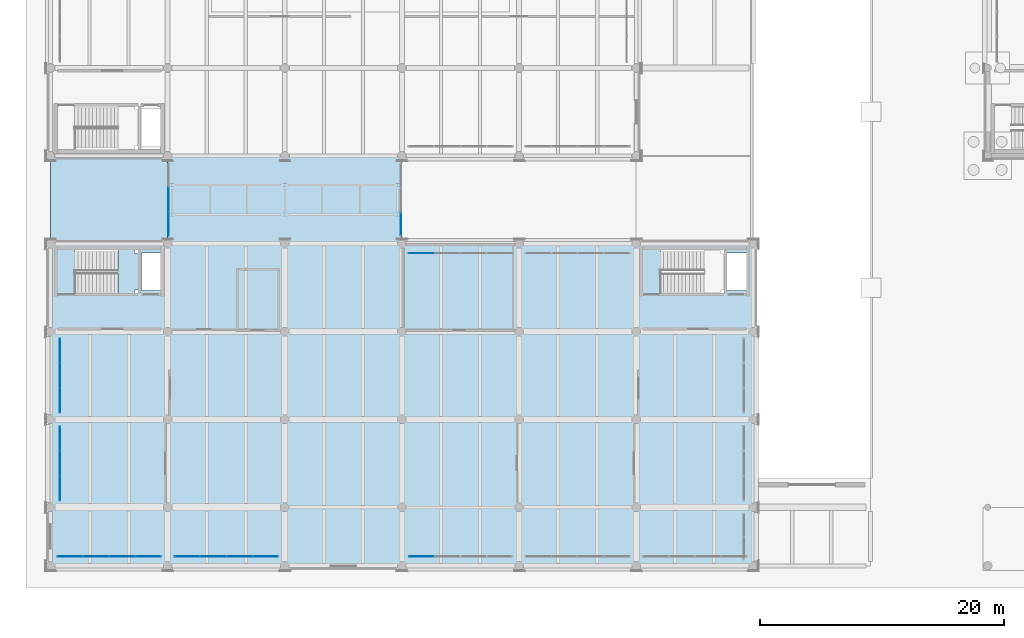
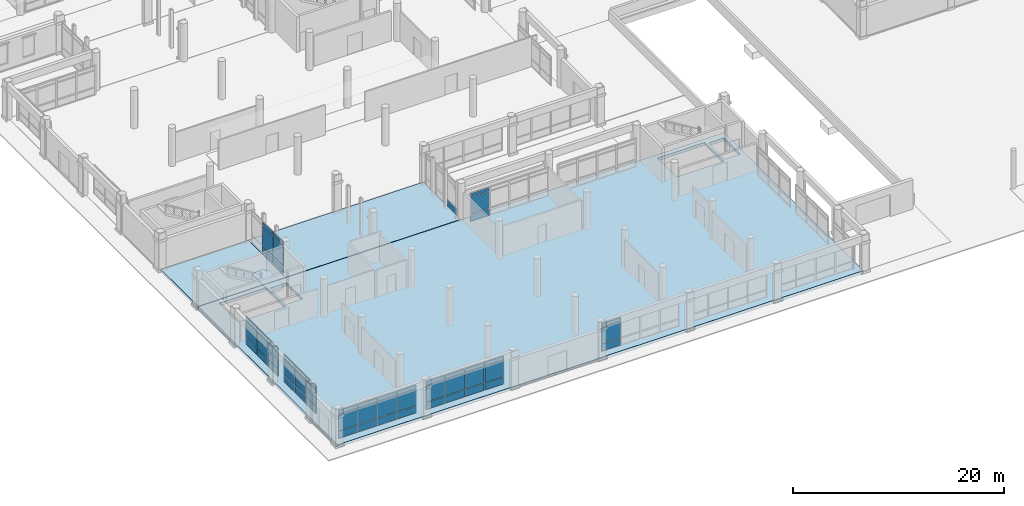
# One storey, part 141 of 196: 55 plates, 4 slabs, 9 elements without a shape of their own.
"""IFC4 building model written with IfcOpenShell, lengths in metres."""

from ifc_helpers import new_model, si_unit, direction, frame, origin, origin_2d, place, context, subcontext, project, spatial, polyline, rectangle, outline, extrude, material, layer, layer_set, type_object, element, aggregate, save


model = new_model("IFC4")

# Units and contexts
model_context = context("Model", 3, precision=1e-05, world=origin(), true_north=direction((0.0, 1.0)))
body_context = subcontext(model_context, "Body", "Model", "MODEL_VIEW")
ifc_project = project(units=[si_unit("LENGTHUNIT", "METRE"), si_unit("AREAUNIT", "SQUARE_METRE"), si_unit("VOLUMEUNIT", "CUBIC_METRE"), si_unit("PLANEANGLEUNIT", "RADIAN"), si_unit("MASSUNIT", "GRAM", prefix="KILO")], contexts=[model_context])

# Site, building, storey
site_placement = place(None, origin())
site = spatial("IfcSite", under=ifc_project, at=site_placement, CompositionType="ELEMENT")
building_placement = place(site_placement, origin())
building = spatial("IfcBuilding", under=site, at=building_placement, Name="Asteropetra Specialist Clinic", CompositionType="ELEMENT")
storey_placement = place(building_placement, origin())
storey = spatial("IfcBuildingStorey", under=building, at=storey_placement, Name="L00", CompositionType="ELEMENT", Elevation=0.0)

# Curtain wall, plate
ifc_material_1 = material(Name="Aluminium and low-E glass", Category="aluminium")
ifc_layer_1 = layer(ifc_material_1, 0.14990234375)
ifc_layer_set_1 = layer_set([ifc_layer_1], Name="Aluminium and low-E glass")
curtain_wall_type_1 = type_object("IfcCurtainWallType", Name="CW-SYS-08", PredefinedType="USERDEFINED", material=ifc_layer_set_1)
curtain_wall_1_placement = place(storey_placement, origin())
curtain_wall_1 = element("IfcCurtainWall", 1, at=curtain_wall_1_placement, inside=storey, type_object=curtain_wall_type_1, Name="Curtain Wall CW-096", ObjectType="STICK GLAZED COLONNADE", PredefinedType="USERDEFINED")
ifc_material_2 = material(Name="Low-E double glazing", Category="glass")
ifc_layer_2 = layer(ifc_material_2, 0.028076171875)
ifc_layer_set_2 = layer_set([ifc_layer_2], Name="Low-E double glazing")
plate_type_1 = type_object("IfcPlateType", Name="CWP-GLZ-28", PredefinedType="CURTAIN_PANEL", material=ifc_layer_set_2)
plate_1_placement = place(storey_placement, frame((28.719970703125, 28.025390625, 0.074951171875), z_axis=(0.0, 0.0, 1.0), x_axis=(0.0, -1.0, 0.0)))
plate_1 = element("IfcPlate", 2, at=plate_1_placement, type_object=plate_type_1, Name="CW-096 panel 3.1", PredefinedType="CURTAIN_PANEL", context=body_context, shape_type="SweptSolid", body=[
    extrude(rectangle(XDim=1.880859375, YDim=0.028076171875, at=origin_2d()), origin(), (0.0, 0.0, 1.0), 0.78759765625),
])
aggregate(curtain_wall_1, [plate_1])

# Curtain wall, plates
ifc_material_3 = material(Name="Aluminium and low-E glass", Category="aluminium")
ifc_layer_3 = layer(ifc_material_3, 0.135009765625)
ifc_layer_set_3 = layer_set([ifc_layer_3], Name="Aluminium and low-E glass")
curtain_wall_type_2 = type_object("IfcCurtainWallType", Name="CW-SYS-09", PredefinedType="USERDEFINED", material=ifc_layer_set_3)
curtain_wall_2_placement = place(storey_placement, origin())
curtain_wall_2 = element("IfcCurtainWall", 3, at=curtain_wall_2_placement, inside=storey, type_object=curtain_wall_type_2, Name="Curtain Wall CW-124", ObjectType="STICK GLAZED COLONNADE", PredefinedType="USERDEFINED")
plate_2_placement = place(storey_placement, frame((30.398681640625, 25.6201171875, 0.06494140625), z_axis=(0.0, 0.0, 1.0), x_axis=(-1.0, 0.0, 0.0)))
plate_2 = element("IfcPlate", 4, at=plate_2_placement, type_object=plate_type_1, Name="CW-124 panel 4.1", PredefinedType="CURTAIN_PANEL", context=body_context, shape_type="SweptSolid", body=[
    extrude(rectangle(XDim=2.047607421875, YDim=0.028076171875, at=origin_2d()), origin(), (0.0, 0.0, 1.0), 0.802490234375),
])
plate_3_placement = place(storey_placement, frame((30.398681640625, 25.6201171875, 0.9326171875), z_axis=(0.0, 0.0, 1.0), x_axis=(-1.0, 0.0, 0.0)))
plate_3 = element("IfcPlate", 5, at=plate_3_placement, type_object=plate_type_1, Name="CW-124 panel 4.2", PredefinedType="CURTAIN_PANEL", context=body_context, shape_type="SweptSolid", body=[
    extrude(rectangle(XDim=2.047607421875, YDim=0.028076171875, at=origin_2d()), origin(), (0.0, 0.0, 1.0), 1.885009765625),
])
plate_4_placement = place(storey_placement, frame((30.398681640625, 25.6201171875, 2.88232421875), z_axis=(0.0, 0.0, 1.0), x_axis=(-1.0, 0.0, 0.0)))
plate_4 = element("IfcPlate", 6, at=plate_4_placement, type_object=plate_type_1, Name="CW-124 panel 4.3", PredefinedType="CURTAIN_PANEL", context=body_context, shape_type="SweptSolid", body=[
    extrude(rectangle(XDim=2.047607421875, YDim=0.028076171875, at=origin_2d()), origin(), (0.0, 0.0, 1.0), 0.402587890625),
])
aggregate(curtain_wall_2, [plate_2, plate_3, plate_4])

curtain_wall_3_placement = place(storey_placement, origin())
curtain_wall_3 = element("IfcCurtainWall", 7, at=curtain_wall_3_placement, inside=storey, type_object=curtain_wall_type_2, Name="Curtain Wall CW-121", ObjectType="STICK GLAZED COLONNADE", PredefinedType="USERDEFINED")
ifc_material_4 = material(Name="Low-E acoustic double glazing", Category="glass")
ifc_layer_4 = layer(ifc_material_4, 0.031982421875)
ifc_layer_set_4 = layer_set([ifc_layer_4], Name="Low-E acoustic double glazing")
plate_type_2 = type_object("IfcPlateType", Name="CWP-GLZ-32", PredefinedType="CURTAIN_PANEL", material=ifc_layer_set_4)
plate_5_placement = place(storey_placement, frame((1.5986328125, 0.780029296875, 0.06494140625), z_axis=(0.0, 0.0, 1.0), x_axis=(1.0, 0.0, 0.0)))
plate_5 = element("IfcPlate", 8, at=plate_5_placement, type_object=plate_type_2, Name="CW-121 panel 1.1", PredefinedType="CURTAIN_PANEL", context=body_context, shape_type="SweptSolid", body=[
    extrude(rectangle(XDim=2.047607421875, YDim=0.031982421875, at=origin_2d()), origin(), (0.0, 0.0, 1.0), 0.802490234375),
])
plate_6_placement = place(storey_placement, frame((1.5986328125, 0.780029296875, 0.9326171875), z_axis=(0.0, 0.0, 1.0), x_axis=(1.0, 0.0, 0.0)))
plate_6 = element("IfcPlate", 9, at=plate_6_placement, type_object=plate_type_2, Name="CW-121 panel 1.2", PredefinedType="CURTAIN_PANEL", context=body_context, shape_type="SweptSolid", body=[
    extrude(rectangle(XDim=2.047607421875, YDim=0.031982421875, at=origin_2d()), origin(), (0.0, 0.0, 1.0), 1.885009765625),
])
plate_7_placement = place(storey_placement, frame((1.5986328125, 0.780029296875, 2.88232421875), z_axis=(0.0, 0.0, 1.0), x_axis=(1.0, 0.0, 0.0)))
plate_7 = element("IfcPlate", 10, at=plate_7_placement, type_object=plate_type_2, Name="CW-121 panel 1.3", PredefinedType="CURTAIN_PANEL", context=body_context, shape_type="SweptSolid", body=[
    extrude(rectangle(XDim=2.047607421875, YDim=0.031982421875, at=origin_2d()), origin(), (0.0, 0.0, 1.0), 0.402587890625),
])
plate_8_placement = place(storey_placement, frame((3.7275390625, 0.780029296875, 0.06494140625), z_axis=(0.0, 0.0, 1.0), x_axis=(1.0, 0.0, 0.0)))
plate_8 = element("IfcPlate", 11, at=plate_8_placement, type_object=plate_type_2, Name="CW-121 panel 2.1", PredefinedType="CURTAIN_PANEL", context=body_context, shape_type="SweptSolid", body=[
    extrude(rectangle(XDim=2.080078125, YDim=0.031982421875, at=origin_2d()), origin(), (0.0, 0.0, 1.0), 0.802490234375),
])
plate_9_placement = place(storey_placement, frame((3.7275390625, 0.780029296875, 0.9326171875), z_axis=(0.0, 0.0, 1.0), x_axis=(1.0, 0.0, 0.0)))
plate_9 = element("IfcPlate", 12, at=plate_9_placement, type_object=plate_type_2, Name="CW-121 panel 2.2", PredefinedType="CURTAIN_PANEL", context=body_context, shape_type="SweptSolid", body=[
    extrude(rectangle(XDim=2.080078125, YDim=0.031982421875, at=origin_2d()), origin(), (0.0, 0.0, 1.0), 1.885009765625),
])
plate_10_placement = place(storey_placement, frame((3.7275390625, 0.780029296875, 2.88232421875), z_axis=(0.0, 0.0, 1.0), x_axis=(1.0, 0.0, 0.0)))
plate_10 = element("IfcPlate", 13, at=plate_10_placement, type_object=plate_type_2, Name="CW-121 panel 2.3", PredefinedType="CURTAIN_PANEL", context=body_context, shape_type="SweptSolid", body=[
    extrude(rectangle(XDim=2.080078125, YDim=0.031982421875, at=origin_2d()), origin(), (0.0, 0.0, 1.0), 0.402587890625),
])
plate_11_placement = place(storey_placement, frame((5.87255859375, 0.780029296875, 0.06494140625), z_axis=(0.0, 0.0, 1.0), x_axis=(1.0, 0.0, 0.0)))
plate_11 = element("IfcPlate", 14, at=plate_11_placement, type_object=plate_type_2, Name="CW-121 panel 3.1", PredefinedType="CURTAIN_PANEL", context=body_context, shape_type="SweptSolid", body=[
    extrude(rectangle(XDim=2.080078125, YDim=0.031982421875, at=origin_2d()), origin(), (0.0, 0.0, 1.0), 0.802490234375),
])
plate_12_placement = place(storey_placement, frame((5.87255859375, 0.780029296875, 0.9326171875), z_axis=(0.0, 0.0, 1.0), x_axis=(1.0, 0.0, 0.0)))
plate_12 = element("IfcPlate", 15, at=plate_12_placement, type_object=plate_type_2, Name="CW-121 panel 3.2", PredefinedType="CURTAIN_PANEL", context=body_context, shape_type="SweptSolid", body=[
    extrude(rectangle(XDim=2.080078125, YDim=0.031982421875, at=origin_2d()), origin(), (0.0, 0.0, 1.0), 1.885009765625),
])
plate_13_placement = place(storey_placement, frame((5.87255859375, 0.780029296875, 2.88232421875), z_axis=(0.0, 0.0, 1.0), x_axis=(1.0, 0.0, 0.0)))
plate_13 = element("IfcPlate", 16, at=plate_13_placement, type_object=plate_type_2, Name="CW-121 panel 3.3", PredefinedType="CURTAIN_PANEL", context=body_context, shape_type="SweptSolid", body=[
    extrude(rectangle(XDim=2.080078125, YDim=0.031982421875, at=origin_2d()), origin(), (0.0, 0.0, 1.0), 0.402587890625),
])
plate_14_placement = place(storey_placement, frame((8.001220703125, 0.780029296875, 0.06494140625), z_axis=(0.0, 0.0, 1.0), x_axis=(1.0, 0.0, 0.0)))
plate_14 = element("IfcPlate", 17, at=plate_14_placement, type_object=plate_type_2, Name="CW-121 panel 4.1", PredefinedType="CURTAIN_PANEL", context=body_context, shape_type="SweptSolid", body=[
    extrude(rectangle(XDim=2.047607421875, YDim=0.031982421875, at=origin_2d()), origin(), (0.0, 0.0, 1.0), 0.802490234375),
])
plate_15_placement = place(storey_placement, frame((8.001220703125, 0.780029296875, 0.9326171875), z_axis=(0.0, 0.0, 1.0), x_axis=(1.0, 0.0, 0.0)))
plate_15 = element("IfcPlate", 18, at=plate_15_placement, type_object=plate_type_2, Name="CW-121 panel 4.2", PredefinedType="CURTAIN_PANEL", context=body_context, shape_type="SweptSolid", body=[
    extrude(rectangle(XDim=2.047607421875, YDim=0.031982421875, at=origin_2d()), origin(), (0.0, 0.0, 1.0), 1.885009765625),
])
plate_16_placement = place(storey_placement, frame((8.001220703125, 0.780029296875, 2.88232421875), z_axis=(0.0, 0.0, 1.0), x_axis=(1.0, 0.0, 0.0)))
plate_16 = element("IfcPlate", 19, at=plate_16_placement, type_object=plate_type_2, Name="CW-121 panel 4.3", PredefinedType="CURTAIN_PANEL", context=body_context, shape_type="SweptSolid", body=[
    extrude(rectangle(XDim=2.047607421875, YDim=0.031982421875, at=origin_2d()), origin(), (0.0, 0.0, 1.0), 0.402587890625),
])
aggregate(curtain_wall_3, [plate_5, plate_6, plate_7, plate_8, plate_9, plate_10, plate_11, plate_12, plate_13, plate_14, plate_15, plate_16])

ifc_material_5 = material(Name="Aluminium and low-E glass", Category="aluminium")
ifc_layer_5 = layer(ifc_material_5, 0.179931640625)
ifc_layer_set_5 = layer_set([ifc_layer_5], Name="Aluminium and low-E glass")
curtain_wall_type_3 = type_object("IfcCurtainWallType", Name="CW-SYS-10", PredefinedType="USERDEFINED", material=ifc_layer_set_5)
curtain_wall_4_placement = place(storey_placement, origin())
curtain_wall_4 = element("IfcCurtainWall", 20, at=curtain_wall_4_placement, inside=storey, type_object=curtain_wall_type_3, Name="Curtain Wall CW-129", ObjectType="STICK GLAZED COLONNADE", PredefinedType="USERDEFINED")
plate_17_placement = place(storey_placement, frame((0.780029296875, 10.441162109375, 0.074951171875), z_axis=(0.0, 0.0, 1.0), x_axis=(0.0, -1.0, 0.0)))
plate_17 = element("IfcPlate", 21, at=plate_17_placement, type_object=plate_type_2, Name="CW-129 panel 1.1", PredefinedType="CURTAIN_PANEL", context=body_context, shape_type="SweptSolid", body=[
    extrude(rectangle(XDim=1.947509765625, YDim=0.031982421875, at=origin_2d()), origin(), (0.0, 0.0, 1.0), 0.78759765625),
])
plate_18_placement = place(storey_placement, frame((0.780029296875, 10.441162109375, 0.9375), z_axis=(0.0, 0.0, 1.0), x_axis=(0.0, -1.0, 0.0)))
plate_18 = element("IfcPlate", 22, at=plate_18_placement, type_object=plate_type_2, Name="CW-129 panel 1.2", PredefinedType="CURTAIN_PANEL", context=body_context, shape_type="SweptSolid", body=[
    extrude(rectangle(XDim=1.947509765625, YDim=0.031982421875, at=origin_2d()), origin(), (0.0, 0.0, 1.0), 1.875),
])
plate_19_placement = place(storey_placement, frame((0.780029296875, 10.441162109375, 2.8876953125), z_axis=(0.0, 0.0, 1.0), x_axis=(0.0, -1.0, 0.0)))
plate_19 = element("IfcPlate", 23, at=plate_19_placement, type_object=plate_type_2, Name="CW-129 panel 1.3", PredefinedType="CURTAIN_PANEL", context=body_context, shape_type="SweptSolid", body=[
    extrude(rectangle(XDim=1.947509765625, YDim=0.031982421875, at=origin_2d()), origin(), (0.0, 0.0, 1.0), 0.387451171875),
])
plate_20_placement = place(storey_placement, frame((0.780029296875, 8.39990234375, 0.074951171875), z_axis=(0.0, 0.0, 1.0), x_axis=(0.0, -1.0, 0.0)))
plate_20 = element("IfcPlate", 24, at=plate_20_placement, type_object=plate_type_2, Name="CW-129 panel 2.1", PredefinedType="CURTAIN_PANEL", context=body_context, shape_type="SweptSolid", body=[
    extrude(rectangle(XDim=1.985107421875, YDim=0.031982421875, at=origin_2d()), origin(), (0.0, 0.0, 1.0), 0.78759765625),
])
plate_21_placement = place(storey_placement, frame((0.780029296875, 8.39990234375, 0.9375), z_axis=(0.0, 0.0, 1.0), x_axis=(0.0, -1.0, 0.0)))
plate_21 = element("IfcPlate", 25, at=plate_21_placement, type_object=plate_type_2, Name="CW-129 panel 2.2", PredefinedType="CURTAIN_PANEL", context=body_context, shape_type="SweptSolid", body=[
    extrude(rectangle(XDim=1.985107421875, YDim=0.031982421875, at=origin_2d()), origin(), (0.0, 0.0, 1.0), 1.875),
])
plate_22_placement = place(storey_placement, frame((0.780029296875, 8.39990234375, 2.8876953125), z_axis=(0.0, 0.0, 1.0), x_axis=(0.0, -1.0, 0.0)))
plate_22 = element("IfcPlate", 26, at=plate_22_placement, type_object=plate_type_2, Name="CW-129 panel 2.3", PredefinedType="CURTAIN_PANEL", context=body_context, shape_type="SweptSolid", body=[
    extrude(rectangle(XDim=1.985107421875, YDim=0.031982421875, at=origin_2d()), origin(), (0.0, 0.0, 1.0), 0.387451171875),
])
plate_23_placement = place(storey_placement, frame((0.780029296875, 6.358642578125, 0.074951171875), z_axis=(0.0, 0.0, 1.0), x_axis=(0.0, -1.0, 0.0)))
plate_23 = element("IfcPlate", 27, at=plate_23_placement, type_object=plate_type_2, Name="CW-129 panel 3.1", PredefinedType="CURTAIN_PANEL", context=body_context, shape_type="SweptSolid", body=[
    extrude(rectangle(XDim=1.947509765625, YDim=0.031982421875, at=origin_2d()), origin(), (0.0, 0.0, 1.0), 0.78759765625),
])
plate_24_placement = place(storey_placement, frame((0.780029296875, 6.358642578125, 0.9375), z_axis=(0.0, 0.0, 1.0), x_axis=(0.0, -1.0, 0.0)))
plate_24 = element("IfcPlate", 28, at=plate_24_placement, type_object=plate_type_2, Name="CW-129 panel 3.2", PredefinedType="CURTAIN_PANEL", context=body_context, shape_type="SweptSolid", body=[
    extrude(rectangle(XDim=1.947509765625, YDim=0.031982421875, at=origin_2d()), origin(), (0.0, 0.0, 1.0), 1.875),
])
plate_25_placement = place(storey_placement, frame((0.780029296875, 6.358642578125, 2.8876953125), z_axis=(0.0, 0.0, 1.0), x_axis=(0.0, -1.0, 0.0)))
plate_25 = element("IfcPlate", 29, at=plate_25_placement, type_object=plate_type_2, Name="CW-129 panel 3.3", PredefinedType="CURTAIN_PANEL", context=body_context, shape_type="SweptSolid", body=[
    extrude(rectangle(XDim=1.947509765625, YDim=0.031982421875, at=origin_2d()), origin(), (0.0, 0.0, 1.0), 0.387451171875),
])
aggregate(curtain_wall_4, [plate_17, plate_18, plate_19, plate_20, plate_21, plate_22, plate_23, plate_24, plate_25])

curtain_wall_5_placement = place(storey_placement, origin())
curtain_wall_5 = element("IfcCurtainWall", 30, at=curtain_wall_5_placement, inside=storey, type_object=curtain_wall_type_3, Name="Curtain Wall CW-122", ObjectType="STICK GLAZED COLONNADE", PredefinedType="USERDEFINED")
ifc_material_6 = material(Name="Solar-control triple glazing", Category="glass")
ifc_layer_6 = layer(ifc_material_6, 0.035888671875)
ifc_layer_set_6 = layer_set([ifc_layer_6], Name="Solar-control triple glazing")
plate_type_3 = type_object("IfcPlateType", Name="CWP-GLZ-36", PredefinedType="CURTAIN_PANEL", material=ifc_layer_set_6)
plate_26_placement = place(storey_placement, frame((11.197509765625, 0.780029296875, 0.06005859375), z_axis=(0.0, 0.0, 1.0), x_axis=(1.0, 0.0, 0.0)))
plate_26 = element("IfcPlate", 31, at=plate_26_placement, type_object=plate_type_3, Name="CW-122 panel 1.1", PredefinedType="CURTAIN_PANEL", context=body_context, shape_type="SweptSolid", body=[
    extrude(rectangle(XDim=2.054931640625, YDim=0.035888671875, at=origin_2d()), origin(), (0.0, 0.0, 1.0), 0.81005859375),
])
plate_27_placement = place(storey_placement, frame((11.197509765625, 0.780029296875, 0.93017578125), z_axis=(0.0, 0.0, 1.0), x_axis=(1.0, 0.0, 0.0)))
plate_27 = element("IfcPlate", 32, at=plate_27_placement, type_object=plate_type_3, Name="CW-122 panel 1.2", PredefinedType="CURTAIN_PANEL", context=body_context, shape_type="SweptSolid", body=[
    extrude(rectangle(XDim=2.054931640625, YDim=0.035888671875, at=origin_2d()), origin(), (0.0, 0.0, 1.0), 1.889892578125),
])
plate_28_placement = place(storey_placement, frame((11.197509765625, 0.780029296875, 2.8798828125), z_axis=(0.0, 0.0, 1.0), x_axis=(1.0, 0.0, 0.0)))
plate_28 = element("IfcPlate", 33, at=plate_28_placement, type_object=plate_type_3, Name="CW-122 panel 1.3", PredefinedType="CURTAIN_PANEL", context=body_context, shape_type="SweptSolid", body=[
    extrude(rectangle(XDim=2.054931640625, YDim=0.035888671875, at=origin_2d()), origin(), (0.0, 0.0, 1.0), 0.409912109375),
])
plate_29_placement = place(storey_placement, frame((13.327392578125, 0.780029296875, 0.06005859375), z_axis=(0.0, 0.0, 1.0), x_axis=(1.0, 0.0, 0.0)))
plate_29 = element("IfcPlate", 34, at=plate_29_placement, type_object=plate_type_3, Name="CW-122 panel 2.1", PredefinedType="CURTAIN_PANEL", context=body_context, shape_type="SweptSolid", body=[
    extrude(rectangle(XDim=2.0849609375, YDim=0.035888671875, at=origin_2d()), origin(), (0.0, 0.0, 1.0), 0.81005859375),
])
plate_30_placement = place(storey_placement, frame((13.327392578125, 0.780029296875, 0.93017578125), z_axis=(0.0, 0.0, 1.0), x_axis=(1.0, 0.0, 0.0)))
plate_30 = element("IfcPlate", 35, at=plate_30_placement, type_object=plate_type_3, Name="CW-122 panel 2.2", PredefinedType="CURTAIN_PANEL", context=body_context, shape_type="SweptSolid", body=[
    extrude(rectangle(XDim=2.0849609375, YDim=0.035888671875, at=origin_2d()), origin(), (0.0, 0.0, 1.0), 1.889892578125),
])
plate_31_placement = place(storey_placement, frame((13.327392578125, 0.780029296875, 2.8798828125), z_axis=(0.0, 0.0, 1.0), x_axis=(1.0, 0.0, 0.0)))
plate_31 = element("IfcPlate", 36, at=plate_31_placement, type_object=plate_type_3, Name="CW-122 panel 2.3", PredefinedType="CURTAIN_PANEL", context=body_context, shape_type="SweptSolid", body=[
    extrude(rectangle(XDim=2.0849609375, YDim=0.035888671875, at=origin_2d()), origin(), (0.0, 0.0, 1.0), 0.409912109375),
])
plate_32_placement = place(storey_placement, frame((15.472412109375, 0.780029296875, 0.06005859375), z_axis=(0.0, 0.0, 1.0), x_axis=(1.0, 0.0, 0.0)))
plate_32 = element("IfcPlate", 37, at=plate_32_placement, type_object=plate_type_3, Name="CW-122 panel 3.1", PredefinedType="CURTAIN_PANEL", context=body_context, shape_type="SweptSolid", body=[
    extrude(rectangle(XDim=2.0849609375, YDim=0.035888671875, at=origin_2d()), origin(), (0.0, 0.0, 1.0), 0.81005859375),
])
plate_33_placement = place(storey_placement, frame((15.472412109375, 0.780029296875, 0.93017578125), z_axis=(0.0, 0.0, 1.0), x_axis=(1.0, 0.0, 0.0)))
plate_33 = element("IfcPlate", 38, at=plate_33_placement, type_object=plate_type_3, Name="CW-122 panel 3.2", PredefinedType="CURTAIN_PANEL", context=body_context, shape_type="SweptSolid", body=[
    extrude(rectangle(XDim=2.0849609375, YDim=0.035888671875, at=origin_2d()), origin(), (0.0, 0.0, 1.0), 1.889892578125),
])
plate_34_placement = place(storey_placement, frame((15.472412109375, 0.780029296875, 2.8798828125), z_axis=(0.0, 0.0, 1.0), x_axis=(1.0, 0.0, 0.0)))
plate_34 = element("IfcPlate", 39, at=plate_34_placement, type_object=plate_type_3, Name="CW-122 panel 3.3", PredefinedType="CURTAIN_PANEL", context=body_context, shape_type="SweptSolid", body=[
    extrude(rectangle(XDim=2.0849609375, YDim=0.035888671875, at=origin_2d()), origin(), (0.0, 0.0, 1.0), 0.409912109375),
])
plate_35_placement = place(storey_placement, frame((17.6025390625, 0.780029296875, 0.06005859375), z_axis=(0.0, 0.0, 1.0), x_axis=(1.0, 0.0, 0.0)))
plate_35 = element("IfcPlate", 40, at=plate_35_placement, type_object=plate_type_3, Name="CW-122 panel 4.1", PredefinedType="CURTAIN_PANEL", context=body_context, shape_type="SweptSolid", body=[
    extrude(rectangle(XDim=2.054931640625, YDim=0.035888671875, at=origin_2d()), origin(), (0.0, 0.0, 1.0), 0.81005859375),
])
plate_36_placement = place(storey_placement, frame((17.6025390625, 0.780029296875, 0.93017578125), z_axis=(0.0, 0.0, 1.0), x_axis=(1.0, 0.0, 0.0)))
plate_36 = element("IfcPlate", 41, at=plate_36_placement, type_object=plate_type_3, Name="CW-122 panel 4.2", PredefinedType="CURTAIN_PANEL", context=body_context, shape_type="SweptSolid", body=[
    extrude(rectangle(XDim=2.054931640625, YDim=0.035888671875, at=origin_2d()), origin(), (0.0, 0.0, 1.0), 1.889892578125),
])
plate_37_placement = place(storey_placement, frame((17.6025390625, 0.780029296875, 2.8798828125), z_axis=(0.0, 0.0, 1.0), x_axis=(1.0, 0.0, 0.0)))
plate_37 = element("IfcPlate", 42, at=plate_37_placement, type_object=plate_type_3, Name="CW-122 panel 4.3", PredefinedType="CURTAIN_PANEL", context=body_context, shape_type="SweptSolid", body=[
    extrude(rectangle(XDim=2.054931640625, YDim=0.035888671875, at=origin_2d()), origin(), (0.0, 0.0, 1.0), 0.409912109375),
])
aggregate(curtain_wall_5, [plate_26, plate_27, plate_28, plate_29, plate_30, plate_31, plate_32, plate_33, plate_34, plate_35, plate_36, plate_37])

ifc_material_7 = material(Name="Aluminium and low-E glass", Category="aluminium")
ifc_layer_7 = layer(ifc_material_7, 0.179931640625)
ifc_layer_set_7 = layer_set([ifc_layer_7], Name="Aluminium and low-E glass")
curtain_wall_type_4 = type_object("IfcCurtainWallType", Name="CW-SYS-07", PredefinedType="USERDEFINED", material=ifc_layer_set_7)
curtain_wall_6_placement = place(storey_placement, origin())
curtain_wall_6 = element("IfcCurtainWall", 43, at=curtain_wall_6_placement, inside=storey, type_object=curtain_wall_type_4, Name="Curtain Wall CW-095", ObjectType="STICK GLAZED COLONNADE", PredefinedType="USERDEFINED")
ifc_material_8 = material(Name="Laminated skylight glazing", Category="glass")
ifc_layer_8 = layer(ifc_material_8, 0.0400390625)
ifc_layer_set_8 = layer_set([ifc_layer_8], Name="Laminated skylight glazing")
plate_type_4 = type_object("IfcPlateType", Name="CWP-GLZ-40", PredefinedType="CURTAIN_PANEL", material=ifc_layer_set_8)
plate_38_placement = place(storey_placement, frame((9.679931640625, 28.021728515625, 0.06005859375), z_axis=(0.0, 0.0, 1.0), x_axis=(0.0, 1.0, 0.0)))
plate_38 = element("IfcPlate", 44, at=plate_38_placement, type_object=plate_type_4, Name="CW-095 panel 1.1", PredefinedType="CURTAIN_PANEL", context=body_context, shape_type="SweptSolid", body=[
    extrude(rectangle(XDim=1.9033203125, YDim=0.0400390625, at=origin_2d()), origin(), (0.0, 0.0, 1.0), 0.81005859375),
])
plate_39_placement = place(storey_placement, frame((9.679931640625, 28.021728515625, 0.929931640625), z_axis=(0.0, 0.0, 1.0), x_axis=(0.0, 1.0, 0.0)))
plate_39 = element("IfcPlate", 45, at=plate_39_placement, type_object=plate_type_4, Name="CW-095 panel 1.2", PredefinedType="CURTAIN_PANEL", context=body_context, shape_type="SweptSolid", body=[
    extrude(rectangle(XDim=1.9033203125, YDim=0.0400390625, at=origin_2d()), origin(), (0.0, 0.0, 1.0), 2.31005859375),
])
plate_40_placement = place(storey_placement, frame((9.679931640625, 28.021728515625, 3.2998046875), z_axis=(0.0, 0.0, 1.0), x_axis=(0.0, 1.0, 0.0)))
plate_40 = element("IfcPlate", 46, at=plate_40_placement, type_object=plate_type_4, Name="CW-095 panel 1.3", PredefinedType="CURTAIN_PANEL", context=body_context, shape_type="SweptSolid", body=[
    extrude(rectangle(XDim=1.9033203125, YDim=0.0400390625, at=origin_2d()), origin(), (0.0, 0.0, 1.0), 0.409912109375),
])
plate_41_placement = place(storey_placement, frame((9.679931640625, 30.0, 0.06005859375), z_axis=(0.0, 0.0, 1.0), x_axis=(0.0, 1.0, 0.0)))
plate_41 = element("IfcPlate", 47, at=plate_41_placement, type_object=plate_type_4, Name="CW-095 panel 2.1", PredefinedType="CURTAIN_PANEL", context=body_context, shape_type="SweptSolid", body=[
    extrude(rectangle(XDim=1.933349609375, YDim=0.0400390625, at=origin_2d()), origin(), (0.0, 0.0, 1.0), 0.81005859375),
])
plate_42_placement = place(storey_placement, frame((9.679931640625, 30.0, 0.929931640625), z_axis=(0.0, 0.0, 1.0), x_axis=(0.0, 1.0, 0.0)))
plate_42 = element("IfcPlate", 48, at=plate_42_placement, type_object=plate_type_4, Name="CW-095 panel 2.2", PredefinedType="CURTAIN_PANEL", context=body_context, shape_type="SweptSolid", body=[
    extrude(rectangle(XDim=1.933349609375, YDim=0.0400390625, at=origin_2d()), origin(), (0.0, 0.0, 1.0), 2.31005859375),
])
plate_43_placement = place(storey_placement, frame((9.679931640625, 30.0, 3.2998046875), z_axis=(0.0, 0.0, 1.0), x_axis=(0.0, 1.0, 0.0)))
plate_43 = element("IfcPlate", 49, at=plate_43_placement, type_object=plate_type_4, Name="CW-095 panel 2.3", PredefinedType="CURTAIN_PANEL", context=body_context, shape_type="SweptSolid", body=[
    extrude(rectangle(XDim=1.933349609375, YDim=0.0400390625, at=origin_2d()), origin(), (0.0, 0.0, 1.0), 0.409912109375),
])
aggregate(curtain_wall_6, [plate_38, plate_39, plate_40, plate_41, plate_42, plate_43])

curtain_wall_7_placement = place(storey_placement, origin())
curtain_wall_7 = element("IfcCurtainWall", 50, at=curtain_wall_7_placement, inside=storey, type_object=curtain_wall_type_2, Name="Curtain Wall CW-123", ObjectType="STICK GLAZED COLONNADE", PredefinedType="USERDEFINED")
plate_44_placement = place(storey_placement, frame((30.4013671875, 0.780029296875, 0.074951171875), z_axis=(0.0, 0.0, 1.0), x_axis=(1.0, 0.0, 0.0)))
plate_44 = element("IfcPlate", 51, at=plate_44_placement, type_object=plate_type_4, Name="CW-123 panel 1.1", PredefinedType="CURTAIN_PANEL", context=body_context, shape_type="SweptSolid", body=[
    extrude(rectangle(XDim=2.032470703125, YDim=0.0400390625, at=origin_2d()), origin(), (0.0, 0.0, 1.0), 0.78759765625),
])
plate_45_placement = place(storey_placement, frame((30.4013671875, 0.780029296875, 0.9375), z_axis=(0.0, 0.0, 1.0), x_axis=(1.0, 0.0, 0.0)))
plate_45 = element("IfcPlate", 52, at=plate_45_placement, type_object=plate_type_4, Name="CW-123 panel 1.2", PredefinedType="CURTAIN_PANEL", context=body_context, shape_type="SweptSolid", body=[
    extrude(rectangle(XDim=2.032470703125, YDim=0.0400390625, at=origin_2d()), origin(), (0.0, 0.0, 1.0), 1.875),
])
plate_46_placement = place(storey_placement, frame((30.4013671875, 0.780029296875, 2.8876953125), z_axis=(0.0, 0.0, 1.0), x_axis=(1.0, 0.0, 0.0)))
plate_46 = element("IfcPlate", 53, at=plate_46_placement, type_object=plate_type_4, Name="CW-123 panel 1.3", PredefinedType="CURTAIN_PANEL", context=body_context, shape_type="SweptSolid", body=[
    extrude(rectangle(XDim=2.032470703125, YDim=0.0400390625, at=origin_2d()), origin(), (0.0, 0.0, 1.0), 0.387451171875),
])
aggregate(curtain_wall_7, [plate_44, plate_45, plate_46])

curtain_wall_8_placement = place(storey_placement, origin())
curtain_wall_8 = element("IfcCurtainWall", 54, at=curtain_wall_8_placement, inside=storey, type_object=curtain_wall_type_3, Name="Curtain Wall CW-131", ObjectType="STICK GLAZED COLONNADE", PredefinedType="USERDEFINED")
plate_47_placement = place(storey_placement, frame((0.780029296875, 17.64501953125, 0.06005859375), z_axis=(0.0, 0.0, 1.0), x_axis=(0.0, -1.0, 0.0)))
plate_47 = element("IfcPlate", 55, at=plate_47_placement, type_object=plate_type_4, Name="CW-131 panel 1.1", PredefinedType="CURTAIN_PANEL", context=body_context, shape_type="SweptSolid", body=[
    extrude(rectangle(XDim=1.969970703125, YDim=0.0400390625, at=origin_2d()), origin(), (0.0, 0.0, 1.0), 0.81005859375),
])
plate_48_placement = place(storey_placement, frame((0.780029296875, 17.64501953125, 0.93017578125), z_axis=(0.0, 0.0, 1.0), x_axis=(0.0, -1.0, 0.0)))
plate_48 = element("IfcPlate", 56, at=plate_48_placement, type_object=plate_type_4, Name="CW-131 panel 1.2", PredefinedType="CURTAIN_PANEL", context=body_context, shape_type="SweptSolid", body=[
    extrude(rectangle(XDim=1.969970703125, YDim=0.0400390625, at=origin_2d()), origin(), (0.0, 0.0, 1.0), 1.889892578125),
])
plate_49_placement = place(storey_placement, frame((0.780029296875, 17.64501953125, 2.8798828125), z_axis=(0.0, 0.0, 1.0), x_axis=(0.0, -1.0, 0.0)))
plate_49 = element("IfcPlate", 57, at=plate_49_placement, type_object=plate_type_4, Name="CW-131 panel 1.3", PredefinedType="CURTAIN_PANEL", context=body_context, shape_type="SweptSolid", body=[
    extrude(rectangle(XDim=1.969970703125, YDim=0.0400390625, at=origin_2d()), origin(), (0.0, 0.0, 1.0), 0.409912109375),
])
plate_50_placement = place(storey_placement, frame((0.780029296875, 15.60009765625, 0.06005859375), z_axis=(0.0, 0.0, 1.0), x_axis=(0.0, -1.0, 0.0)))
plate_50 = element("IfcPlate", 58, at=plate_50_placement, type_object=plate_type_4, Name="CW-131 panel 2.1", PredefinedType="CURTAIN_PANEL", context=body_context, shape_type="SweptSolid", body=[
    extrude(rectangle(XDim=2.0, YDim=0.0400390625, at=origin_2d()), origin(), (0.0, 0.0, 1.0), 0.81005859375),
])
plate_51_placement = place(storey_placement, frame((0.780029296875, 15.60009765625, 0.93017578125), z_axis=(0.0, 0.0, 1.0), x_axis=(0.0, -1.0, 0.0)))
plate_51 = element("IfcPlate", 59, at=plate_51_placement, type_object=plate_type_4, Name="CW-131 panel 2.2", PredefinedType="CURTAIN_PANEL", context=body_context, shape_type="SweptSolid", body=[
    extrude(rectangle(XDim=2.0, YDim=0.0400390625, at=origin_2d()), origin(), (0.0, 0.0, 1.0), 1.889892578125),
])
plate_52_placement = place(storey_placement, frame((0.780029296875, 15.60009765625, 2.8798828125), z_axis=(0.0, 0.0, 1.0), x_axis=(0.0, -1.0, 0.0)))
plate_52 = element("IfcPlate", 60, at=plate_52_placement, type_object=plate_type_4, Name="CW-131 panel 2.3", PredefinedType="CURTAIN_PANEL", context=body_context, shape_type="SweptSolid", body=[
    extrude(rectangle(XDim=2.0, YDim=0.0400390625, at=origin_2d()), origin(), (0.0, 0.0, 1.0), 0.409912109375),
])
plate_53_placement = place(storey_placement, frame((0.780029296875, 13.554931640625, 0.06005859375), z_axis=(0.0, 0.0, 1.0), x_axis=(0.0, -1.0, 0.0)))
plate_53 = element("IfcPlate", 61, at=plate_53_placement, type_object=plate_type_4, Name="CW-131 panel 3.1", PredefinedType="CURTAIN_PANEL", context=body_context, shape_type="SweptSolid", body=[
    extrude(rectangle(XDim=1.969970703125, YDim=0.0400390625, at=origin_2d()), origin(), (0.0, 0.0, 1.0), 0.81005859375),
])
plate_54_placement = place(storey_placement, frame((0.780029296875, 13.554931640625, 0.93017578125), z_axis=(0.0, 0.0, 1.0), x_axis=(0.0, -1.0, 0.0)))
plate_54 = element("IfcPlate", 62, at=plate_54_placement, type_object=plate_type_4, Name="CW-131 panel 3.2", PredefinedType="CURTAIN_PANEL", context=body_context, shape_type="SweptSolid", body=[
    extrude(rectangle(XDim=1.969970703125, YDim=0.0400390625, at=origin_2d()), origin(), (0.0, 0.0, 1.0), 1.889892578125),
])
plate_55_placement = place(storey_placement, frame((0.780029296875, 13.554931640625, 2.8798828125), z_axis=(0.0, 0.0, 1.0), x_axis=(0.0, -1.0, 0.0)))
plate_55 = element("IfcPlate", 63, at=plate_55_placement, type_object=plate_type_4, Name="CW-131 panel 3.3", PredefinedType="CURTAIN_PANEL", context=body_context, shape_type="SweptSolid", body=[
    extrude(rectangle(XDim=1.969970703125, YDim=0.0400390625, at=origin_2d()), origin(), (0.0, 0.0, 1.0), 0.409912109375),
])
aggregate(curtain_wall_8, [plate_47, plate_48, plate_49, plate_50, plate_51, plate_52, plate_53, plate_54, plate_55])

# Slabs
ifc_material_9 = material(Name="Concrete C35/45", Category="concrete")
ifc_layer_9 = layer(ifc_material_9, 0.239990234375)
ifc_layer_set_9 = layer_set([ifc_layer_9], Name="Concrete C35/45")
slab_type_1 = type_object("IfcSlabType", Name="SLB-FLR-240", PredefinedType="FLOOR", material=ifc_layer_set_9)
slab_1_placement = place(storey_placement, frame((0.0, 0.0, -0.239990234375)))
element("IfcSlab", 64, at=slab_1_placement, inside=storey, type_object=slab_type_1, Name="Slab LP1 L00", PredefinedType="FLOOR", context=body_context, shape_type="SweptSolid", body=[
    extrude(outline(polyline([(9.60009765625, 26.43994140625), (28.800048828125, 26.43994140625), (28.800048828125, 33.56005859375), (9.60009765625, 33.56005859375), (9.60009765625, 26.43994140625)])), origin(), (0.0, 0.0, 1.0), 0.239990234375),
])
ifc_material_10 = material(Name="Concrete C35/45", Category="concrete")
ifc_layer_10 = layer(ifc_material_10, 0.340087890625)
ifc_layer_set_10 = layer_set([ifc_layer_10], Name="Concrete C35/45")
slab_type_2 = type_object("IfcSlabType", Name="SLB-FLR-340", PredefinedType="FLOOR", material=ifc_layer_set_10)
slab_2_placement = place(storey_placement, frame((0.0, 0.0, -0.340087890625)))
element("IfcSlab", 65, at=slab_2_placement, inside=storey, type_object=slab_type_2, Name="Slab V2 L00", PredefinedType="FLOOR", context=body_context, shape_type="SweptSolid", body=[
    extrude(outline(polyline([(0.0, 0.0), (57.60009765625, 0.0), (57.60009765625, 26.39990234375), (0.0, 26.39990234375), (0.0, 0.0)]), holes=[polyline([(2.0, 22.300048828125), (7.179931640625, 22.300048828125), (7.179931640625, 25.8798828125), (2.0, 25.8798828125), (2.0, 22.300048828125)]), polyline([(7.449951171875, 22.550048828125), (9.199951171875, 22.550048828125), (9.199951171875, 25.6298828125), (7.449951171875, 25.6298828125), (7.449951171875, 22.550048828125)]), polyline([(50.0, 22.300048828125), (55.179931640625, 22.300048828125), (55.179931640625, 25.8798828125), (50.0, 25.8798828125), (50.0, 22.300048828125)]), polyline([(55.449951171875, 22.550048828125), (57.14990234375, 22.550048828125), (57.14990234375, 25.6298828125), (55.449951171875, 25.6298828125), (55.449951171875, 22.550048828125)])]), origin(), (0.0, 0.0, 1.0), 0.340087890625),
])

# Stair, slab
ifc_material_11 = material(Name="Concrete C35/45", Category="concrete")
stair_type = type_object("IfcStairType", Name="STR-DOG-160", PredefinedType="TWO_STRAIGHT_RUN_STAIR", material=ifc_material_11)
stair_placement = place(storey_placement, origin())
stair = element("IfcStair", 66, at=stair_placement, inside=storey, type_object=stair_type, Name="Type I Stair ST06-L00", PredefinedType="TWO_STRAIGHT_RUN_STAIR")
ifc_material_12 = material(Name="Concrete C35/45", Category="concrete")
ifc_layer_11 = layer(ifc_material_12, 0.199951171875)
ifc_layer_set_11 = layer_set([ifc_layer_11], Name="Concrete C35/45")
slab_type_3 = type_object("IfcSlabType", Name="SLB-LND-200", PredefinedType="LANDING", material=ifc_layer_set_11)
slab_3_placement = place(storey_placement, frame((0.0, 0.0, 2.010009765625)))
slab_3 = element("IfcSlab", 67, at=slab_3_placement, type_object=slab_type_3, Name="ST06-L00 landing 1", PredefinedType="LANDING", context=body_context, shape_type="SweptSolid", body=[
    extrude(outline(polyline([(5.550048828125, 22.27001953125), (6.89990234375, 22.27001953125), (6.89990234375, 22.590087890625), (7.219970703125, 22.590087890625), (7.219970703125, 25.590087890625), (6.89990234375, 25.590087890625), (6.89990234375, 25.909912109375), (5.550048828125, 25.909912109375), (5.550048828125, 22.27001953125)])), origin(), (0.0, 0.0, 1.0), 0.199951171875),
])
aggregate(stair, [slab_3])

# Slab
ifc_material_13 = material(Name="Concrete C35/45", Category="concrete")
ifc_layer_12 = layer(ifc_material_13, 0.31005859375)
ifc_layer_set_12 = layer_set([ifc_layer_12], Name="Concrete C35/45")
slab_type_4 = type_object("IfcSlabType", Name="SLB-TER-310", PredefinedType="ROOF", material=ifc_layer_set_12)
slab_4_placement = place(storey_placement, frame((0.0, 0.0, -0.31005859375)))
element("IfcSlab", 68, at=slab_4_placement, inside=storey, type_object=slab_type_4, Name="Slab B1DECK-W L00", PredefinedType="ROOF", context=body_context, shape_type="SweptSolid", body=[
    extrude(outline(polyline([(0.0, 26.449951171875), (9.60009765625, 26.449951171875), (9.60009765625, 33.550048828125), (0.0, 33.550048828125), (0.0, 26.449951171875)])), origin(), (0.0, 0.0, 1.0), 0.31005859375),
])

save(model, "model.ifc")
